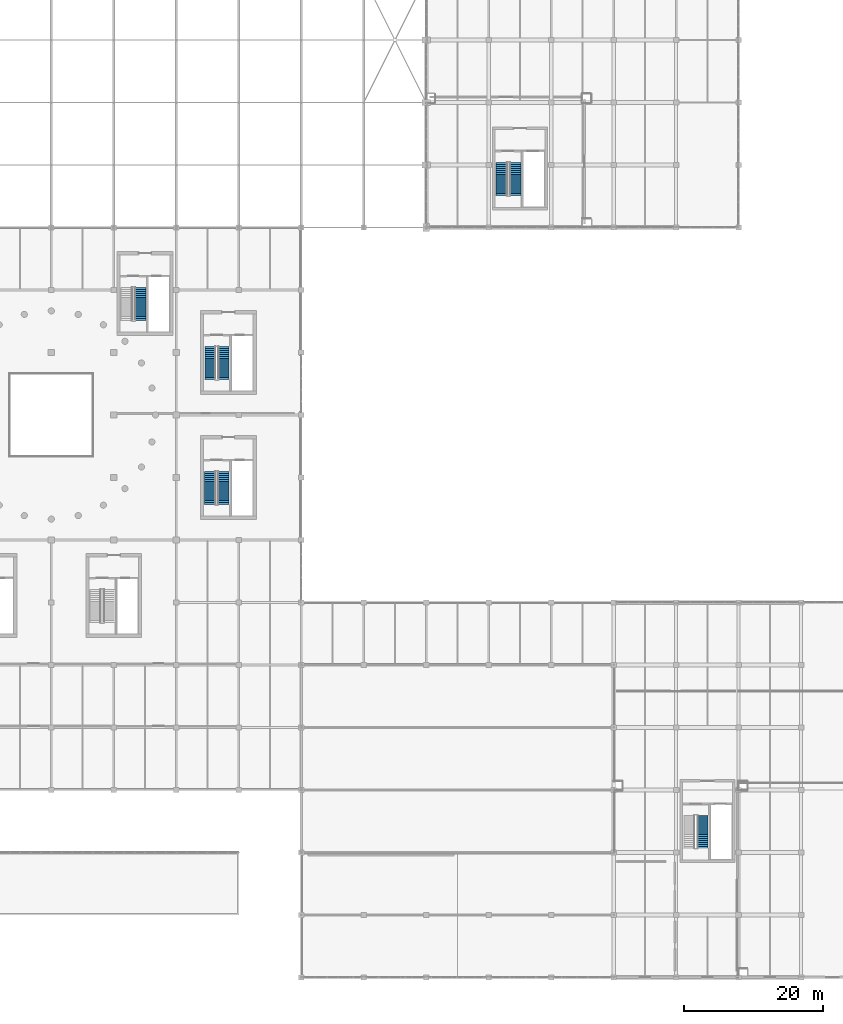
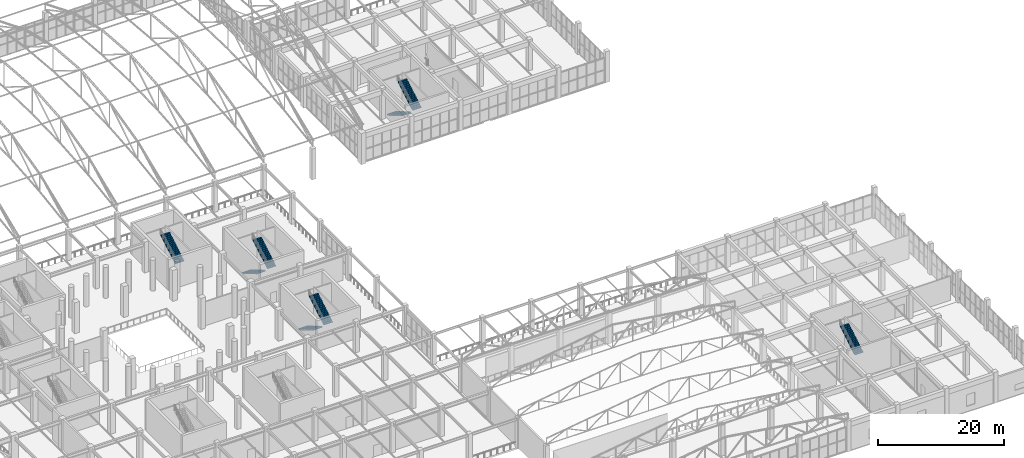
# One storey, part 196 of 223: 8 stair flights, 5 elements without a shape of their own.
"""IFC4 building model written with IfcOpenShell, lengths in metres."""

from ifc_helpers import new_model, si_unit, direction, frame, origin, place, context, subcontext, project, spatial, polyline, outline, extrude, material, layer, layer_set, type_object, element, aggregate, save


model = new_model("IFC4")

# Units and contexts
model_context = context("Model", 3, precision=1e-05, world=origin(), true_north=direction((0.0, 1.0)))
body_context = subcontext(model_context, "Body", "Model", "MODEL_VIEW")
ifc_project = project(units=[si_unit("LENGTHUNIT", "METRE"), si_unit("AREAUNIT", "SQUARE_METRE"), si_unit("VOLUMEUNIT", "CUBIC_METRE"), si_unit("PLANEANGLEUNIT", "RADIAN"), si_unit("MASSUNIT", "GRAM", prefix="KILO")], contexts=[model_context])

# Site, building, storey
site_placement = place(None, origin())
site = spatial("IfcSite", under=ifc_project, at=site_placement, CompositionType="ELEMENT")
building_placement = place(site_placement, origin())
building = spatial("IfcBuilding", under=site, at=building_placement, Name="Dornveld Trade and Exhibition Forum", CompositionType="ELEMENT")
storey_placement = place(building_placement, frame((0.0, 0.0, 6.0)))
storey = spatial("IfcBuildingStorey", under=building, at=storey_placement, Name="L01", CompositionType="ELEMENT", Elevation=6.0)

# Stair, stair flights
ifc_material_1 = material(Name="Concrete C40/50", Category="concrete")
stair_type_1 = type_object("IfcStairType", Name="ST-2RET-600A", PredefinedType="HALF_TURN_STAIR", material=ifc_material_1)
stair_1_placement = place(storey_placement, origin())
stair_1 = element("IfcStair", 1, at=stair_1_placement, inside=storey, type_object=stair_type_1, Name="CORE-01 escape stair L01 to L02", PredefinedType="HALF_TURN_STAIR")
ifc_material_2 = material(Name="Concrete C40/50", Category="concrete")
ifc_layer_1 = layer(ifc_material_2, 0.179931640625)
ifc_layer_set_1 = layer_set([ifc_layer_1], Name="Concrete C40/50")
stair_flight_type_1 = type_object("IfcStairFlightType", Name="STF-155", PredefinedType="STRAIGHT", material=ifc_layer_set_1)
stair_flight_1_placement = place(storey_placement, frame((139.8798828125, 90.85009765625, 0.0), z_axis=(0.0, 0.0, 1.0), x_axis=(0.0, -1.0, 0.0)))
stair_flight_1 = element("IfcStairFlight", 2, at=stair_flight_1_placement, type_object=stair_flight_type_1, Name="ST-01-L01 flight 1", NumberOfRisers=18, NumberOfTreads=17, PredefinedType="STRAIGHT", RiserHeight=0.166666667, TreadLength=0.28, context=body_context, shape_type="SweptSolid", body=[
    extrude(outline(polyline([(0.0, 0.0), (0.0, 0.166748046875), (0.280029296875, 0.166748046875), (0.280029296875, 0.333251953125), (0.56005859375, 0.333251953125), (0.56005859375, 0.5), (0.840087890625, 0.5), (0.840087890625, 0.666748046875), (1.1201171875, 0.666748046875), (1.1201171875, 0.833251953125), (1.39990234375, 0.833251953125), (1.39990234375, 1.0), (1.679931640625, 1.0), (1.679931640625, 1.166748046875), (1.9599609375, 1.166748046875), (1.9599609375, 1.333251953125), (2.239990234375, 1.333251953125), (2.239990234375, 1.5), (2.52001953125, 1.5), (2.52001953125, 1.666748046875), (2.800048828125, 1.666748046875), (2.800048828125, 1.833251953125), (3.080078125, 1.833251953125), (3.080078125, 2.0), (3.360107421875, 2.0), (3.360107421875, 2.166748046875), (3.639892578125, 2.166748046875), (3.639892578125, 2.333251953125), (3.919921875, 2.333251953125), (3.919921875, 2.5), (4.199951171875, 2.5), (4.199951171875, 2.666748046875), (4.47998046875, 2.666748046875), (4.47998046875, 2.833251953125), (4.760009765625, 2.833251953125), (4.760009765625, 3.0), (4.760009765625, 2.647216796875), (0.312744140625, 0.0), (0.0, 0.0)])), frame((0.0, 0.77490234375, 0.0), z_axis=(0.0, -1.0, 0.0), x_axis=(1.0, 0.0, 0.0)), (0.0, 0.0, 1.0), 1.550048828125),
])
stair_flight_2_placement = place(storey_placement, frame((141.820068359375, 86.090087890625, 3.0), z_axis=(0.0, 0.0, 1.0), x_axis=(0.0, 1.0, 0.0)))
stair_flight_2 = element("IfcStairFlight", 3, at=stair_flight_2_placement, type_object=stair_flight_type_1, Name="ST-01-L01 flight 2", NumberOfRisers=18, NumberOfTreads=17, PredefinedType="STRAIGHT", RiserHeight=0.166666667, TreadLength=0.28, context=body_context, shape_type="SweptSolid", body=[
    extrude(outline(polyline([(0.0, 0.0), (0.0, 0.166748046875), (0.280029296875, 0.166748046875), (0.280029296875, 0.333251953125), (0.56005859375, 0.333251953125), (0.56005859375, 0.5), (0.840087890625, 0.5), (0.840087890625, 0.666748046875), (1.1201171875, 0.666748046875), (1.1201171875, 0.833251953125), (1.39990234375, 0.833251953125), (1.39990234375, 1.0), (1.679931640625, 1.0), (1.679931640625, 1.166748046875), (1.9599609375, 1.166748046875), (1.9599609375, 1.333251953125), (2.239990234375, 1.333251953125), (2.239990234375, 1.5), (2.52001953125, 1.5), (2.52001953125, 1.666748046875), (2.800048828125, 1.666748046875), (2.800048828125, 1.833251953125), (3.080078125, 1.833251953125), (3.080078125, 2.0), (3.360107421875, 2.0), (3.360107421875, 2.166748046875), (3.639892578125, 2.166748046875), (3.639892578125, 2.333251953125), (3.919921875, 2.333251953125), (3.919921875, 2.5), (4.199951171875, 2.5), (4.199951171875, 2.666748046875), (4.47998046875, 2.666748046875), (4.47998046875, 2.833251953125), (4.760009765625, 2.833251953125), (4.760009765625, 3.0), (4.760009765625, 2.647216796875), (0.312744140625, 0.0), (0.0, 0.0)])), frame((0.0, 0.77490234375, 0.0), z_axis=(0.0, -1.0, 0.0), x_axis=(1.0, 0.0, 0.0)), (0.0, 0.0, 1.0), 1.550048828125),
])
aggregate(stair_1, [stair_flight_1, stair_flight_2])

# Stair, stair flight
stair_2_placement = place(storey_placement, origin())
stair_2 = element("IfcStair", 4, at=stair_2_placement, inside=storey, type_object=stair_type_1, Name="CORE-11 escape stair L01 to L02", PredefinedType="HALF_TURN_STAIR")
stair_flight_3_placement = place(storey_placement, frame((210.820068359375, 18.590087890625, 3.0), z_axis=(0.0, 0.0, 1.0), x_axis=(0.0, 1.0, 0.0)))
stair_flight_3 = element("IfcStairFlight", 5, at=stair_flight_3_placement, type_object=stair_flight_type_1, Name="ST-11-L01 flight 2", NumberOfRisers=18, NumberOfTreads=17, PredefinedType="STRAIGHT", RiserHeight=0.166666667, TreadLength=0.28, context=body_context, shape_type="SweptSolid", body=[
    extrude(outline(polyline([(0.0, 0.0), (0.0, 0.166748046875), (0.280029296875, 0.166748046875), (0.280029296875, 0.333251953125), (0.56005859375, 0.333251953125), (0.56005859375, 0.5), (0.840087890625, 0.5), (0.840087890625, 0.666748046875), (1.1201171875, 0.666748046875), (1.1201171875, 0.833251953125), (1.39990234375, 0.833251953125), (1.39990234375, 1.0), (1.679931640625, 1.0), (1.679931640625, 1.166748046875), (1.9599609375, 1.166748046875), (1.9599609375, 1.333251953125), (2.239990234375, 1.333251953125), (2.239990234375, 1.5), (2.52001953125, 1.5), (2.52001953125, 1.666748046875), (2.800048828125, 1.666748046875), (2.800048828125, 1.833251953125), (3.080078125, 1.833251953125), (3.080078125, 2.0), (3.360107421875, 2.0), (3.360107421875, 2.166748046875), (3.639892578125, 2.166748046875), (3.639892578125, 2.333251953125), (3.919921875, 2.333251953125), (3.919921875, 2.5), (4.199951171875, 2.5), (4.199951171875, 2.666748046875), (4.47998046875, 2.666748046875), (4.47998046875, 2.833251953125), (4.760009765625, 2.833251953125), (4.760009765625, 3.0), (4.760009765625, 2.647216796875), (0.312744140625, 0.0), (0.0, 0.0)])), frame((0.0, 0.77490234375, 0.0), z_axis=(0.0, -1.0, 0.0), x_axis=(1.0, 0.0, 0.0)), (0.0, 0.0, 1.0), 1.550048828125),
])
aggregate(stair_2, [stair_flight_3])

ifc_material_3 = material(Name="Concrete C40/50", Category="concrete")
stair_type_2 = type_object("IfcStairType", Name="ST-2RET-600B", PredefinedType="HALF_TURN_STAIR", material=ifc_material_3)
stair_3_placement = place(storey_placement, origin())
stair_3 = element("IfcStair", 6, at=stair_3_placement, inside=storey, type_object=stair_type_2, Name="CORE-02 escape stair L01 to L02", PredefinedType="HALF_TURN_STAIR")
ifc_material_4 = material(Name="Concrete C40/50", Category="concrete")
ifc_layer_2 = layer(ifc_material_4, 0.179931640625)
ifc_layer_set_2 = layer_set([ifc_layer_2], Name="Concrete C40/50")
stair_flight_type_2 = type_object("IfcStairFlightType", Name="STF-162", PredefinedType="STRAIGHT", material=ifc_layer_set_2)
stair_flight_4_placement = place(storey_placement, frame((129.820068359375, 94.590087890625, 3.0), z_axis=(0.0, 0.0, 1.0), x_axis=(0.0, 1.0, 0.0)))
stair_flight_4 = element("IfcStairFlight", 7, at=stair_flight_4_placement, type_object=stair_flight_type_2, Name="ST-02-L01 flight 2", NumberOfRisers=18, NumberOfTreads=17, PredefinedType="STRAIGHT", RiserHeight=0.166666667, TreadLength=0.28, context=body_context, shape_type="SweptSolid", body=[
    extrude(outline(polyline([(0.0, 0.0), (0.0, 0.166748046875), (0.280029296875, 0.166748046875), (0.280029296875, 0.333251953125), (0.56005859375, 0.333251953125), (0.56005859375, 0.5), (0.840087890625, 0.5), (0.840087890625, 0.666748046875), (1.1201171875, 0.666748046875), (1.1201171875, 0.833251953125), (1.39990234375, 0.833251953125), (1.39990234375, 1.0), (1.679931640625, 1.0), (1.679931640625, 1.166748046875), (1.9599609375, 1.166748046875), (1.9599609375, 1.333251953125), (2.239990234375, 1.333251953125), (2.239990234375, 1.5), (2.52001953125, 1.5), (2.52001953125, 1.666748046875), (2.800048828125, 1.666748046875), (2.800048828125, 1.833251953125), (3.080078125, 1.833251953125), (3.080078125, 2.0), (3.360107421875, 2.0), (3.360107421875, 2.166748046875), (3.639892578125, 2.166748046875), (3.639892578125, 2.333251953125), (3.919921875, 2.333251953125), (3.919921875, 2.5), (4.199951171875, 2.5), (4.199951171875, 2.666748046875), (4.47998046875, 2.666748046875), (4.47998046875, 2.833251953125), (4.760009765625, 2.833251953125), (4.760009765625, 3.0), (4.760009765625, 2.647216796875), (0.312744140625, 0.0), (0.0, 0.0)])), frame((0.0, 0.81005859375, 0.0), z_axis=(0.0, -1.0, 0.0), x_axis=(1.0, 0.0, 0.0)), (0.0, 0.0, 1.0), 1.6201171875),
])
aggregate(stair_3, [stair_flight_4])

# Stair, stair flights
stair_4_placement = place(storey_placement, origin())
stair_4 = element("IfcStair", 8, at=stair_4_placement, inside=storey, type_object=stair_type_2, Name="CORE-08 escape stair L01 to L02", PredefinedType="HALF_TURN_STAIR")
stair_flight_5_placement = place(storey_placement, frame((139.8798828125, 72.85009765625, 0.0), z_axis=(0.0, 0.0, 1.0), x_axis=(0.0, -1.0, 0.0)))
stair_flight_5 = element("IfcStairFlight", 9, at=stair_flight_5_placement, type_object=stair_flight_type_2, Name="ST-08-L01 flight 1", NumberOfRisers=18, NumberOfTreads=17, PredefinedType="STRAIGHT", RiserHeight=0.166666667, TreadLength=0.28, context=body_context, shape_type="SweptSolid", body=[
    extrude(outline(polyline([(0.0, 0.0), (0.0, 0.166748046875), (0.280029296875, 0.166748046875), (0.280029296875, 0.333251953125), (0.56005859375, 0.333251953125), (0.56005859375, 0.5), (0.840087890625, 0.5), (0.840087890625, 0.666748046875), (1.1201171875, 0.666748046875), (1.1201171875, 0.833251953125), (1.39990234375, 0.833251953125), (1.39990234375, 1.0), (1.679931640625, 1.0), (1.679931640625, 1.166748046875), (1.9599609375, 1.166748046875), (1.9599609375, 1.333251953125), (2.239990234375, 1.333251953125), (2.239990234375, 1.5), (2.52001953125, 1.5), (2.52001953125, 1.666748046875), (2.800048828125, 1.666748046875), (2.800048828125, 1.833251953125), (3.080078125, 1.833251953125), (3.080078125, 2.0), (3.360107421875, 2.0), (3.360107421875, 2.166748046875), (3.639892578125, 2.166748046875), (3.639892578125, 2.333251953125), (3.919921875, 2.333251953125), (3.919921875, 2.5), (4.199951171875, 2.5), (4.199951171875, 2.666748046875), (4.47998046875, 2.666748046875), (4.47998046875, 2.833251953125), (4.760009765625, 2.833251953125), (4.760009765625, 3.0), (4.760009765625, 2.647216796875), (0.312744140625, 0.0), (0.0, 0.0)])), frame((0.0, 0.81005859375, 0.0), z_axis=(0.0, -1.0, 0.0), x_axis=(1.0, 0.0, 0.0)), (0.0, 0.0, 1.0), 1.6201171875),
])
stair_flight_6_placement = place(storey_placement, frame((141.820068359375, 68.090087890625, 3.0), z_axis=(0.0, 0.0, 1.0), x_axis=(0.0, 1.0, 0.0)))
stair_flight_6 = element("IfcStairFlight", 10, at=stair_flight_6_placement, type_object=stair_flight_type_2, Name="ST-08-L01 flight 2", NumberOfRisers=18, NumberOfTreads=17, PredefinedType="STRAIGHT", RiserHeight=0.166666667, TreadLength=0.28, context=body_context, shape_type="SweptSolid", body=[
    extrude(outline(polyline([(0.0, 0.0), (0.0, 0.166748046875), (0.280029296875, 0.166748046875), (0.280029296875, 0.333251953125), (0.56005859375, 0.333251953125), (0.56005859375, 0.5), (0.840087890625, 0.5), (0.840087890625, 0.666748046875), (1.1201171875, 0.666748046875), (1.1201171875, 0.833251953125), (1.39990234375, 0.833251953125), (1.39990234375, 1.0), (1.679931640625, 1.0), (1.679931640625, 1.166748046875), (1.9599609375, 1.166748046875), (1.9599609375, 1.333251953125), (2.239990234375, 1.333251953125), (2.239990234375, 1.5), (2.52001953125, 1.5), (2.52001953125, 1.666748046875), (2.800048828125, 1.666748046875), (2.800048828125, 1.833251953125), (3.080078125, 1.833251953125), (3.080078125, 2.0), (3.360107421875, 2.0), (3.360107421875, 2.166748046875), (3.639892578125, 2.166748046875), (3.639892578125, 2.333251953125), (3.919921875, 2.333251953125), (3.919921875, 2.5), (4.199951171875, 2.5), (4.199951171875, 2.666748046875), (4.47998046875, 2.666748046875), (4.47998046875, 2.833251953125), (4.760009765625, 2.833251953125), (4.760009765625, 3.0), (4.760009765625, 2.647216796875), (0.312744140625, 0.0), (0.0, 0.0)])), frame((0.0, 0.81005859375, 0.0), z_axis=(0.0, -1.0, 0.0), x_axis=(1.0, 0.0, 0.0)), (0.0, 0.0, 1.0), 1.6201171875),
])
aggregate(stair_4, [stair_flight_5, stair_flight_6])

stair_5_placement = place(storey_placement, origin())
stair_5 = element("IfcStair", 11, at=stair_5_placement, inside=storey, type_object=stair_type_2, Name="CORE-12 escape stair L01 to L02", PredefinedType="HALF_TURN_STAIR")
stair_flight_7_placement = place(storey_placement, frame((181.8798828125, 117.35009765625, 0.0), z_axis=(0.0, 0.0, 1.0), x_axis=(0.0, -1.0, 0.0)))
stair_flight_7 = element("IfcStairFlight", 12, at=stair_flight_7_placement, type_object=stair_flight_type_2, Name="ST-12-L01 flight 1", NumberOfRisers=18, NumberOfTreads=17, PredefinedType="STRAIGHT", RiserHeight=0.166666667, TreadLength=0.28, context=body_context, shape_type="SweptSolid", body=[
    extrude(outline(polyline([(0.0, 0.0), (0.0, 0.166748046875), (0.280029296875, 0.166748046875), (0.280029296875, 0.333251953125), (0.56005859375, 0.333251953125), (0.56005859375, 0.5), (0.840087890625, 0.5), (0.840087890625, 0.666748046875), (1.1201171875, 0.666748046875), (1.1201171875, 0.833251953125), (1.39990234375, 0.833251953125), (1.39990234375, 1.0), (1.679931640625, 1.0), (1.679931640625, 1.166748046875), (1.9599609375, 1.166748046875), (1.9599609375, 1.333251953125), (2.239990234375, 1.333251953125), (2.239990234375, 1.5), (2.52001953125, 1.5), (2.52001953125, 1.666748046875), (2.800048828125, 1.666748046875), (2.800048828125, 1.833251953125), (3.080078125, 1.833251953125), (3.080078125, 2.0), (3.360107421875, 2.0), (3.360107421875, 2.166748046875), (3.639892578125, 2.166748046875), (3.639892578125, 2.333251953125), (3.919921875, 2.333251953125), (3.919921875, 2.5), (4.199951171875, 2.5), (4.199951171875, 2.666748046875), (4.47998046875, 2.666748046875), (4.47998046875, 2.833251953125), (4.760009765625, 2.833251953125), (4.760009765625, 3.0), (4.760009765625, 2.647216796875), (0.312744140625, 0.0), (0.0, 0.0)])), frame((0.0, 0.81005859375, 0.0), z_axis=(0.0, -1.0, 0.0), x_axis=(1.0, 0.0, 0.0)), (0.0, 0.0, 1.0), 1.6201171875),
])
stair_flight_8_placement = place(storey_placement, frame((183.820068359375, 112.590087890625, 3.0), z_axis=(0.0, 0.0, 1.0), x_axis=(0.0, 1.0, 0.0)))
stair_flight_8 = element("IfcStairFlight", 13, at=stair_flight_8_placement, type_object=stair_flight_type_2, Name="ST-12-L01 flight 2", NumberOfRisers=18, NumberOfTreads=17, PredefinedType="STRAIGHT", RiserHeight=0.166666667, TreadLength=0.28, context=body_context, shape_type="SweptSolid", body=[
    extrude(outline(polyline([(0.0, 0.0), (0.0, 0.166748046875), (0.280029296875, 0.166748046875), (0.280029296875, 0.333251953125), (0.56005859375, 0.333251953125), (0.56005859375, 0.5), (0.840087890625, 0.5), (0.840087890625, 0.666748046875), (1.1201171875, 0.666748046875), (1.1201171875, 0.833251953125), (1.39990234375, 0.833251953125), (1.39990234375, 1.0), (1.679931640625, 1.0), (1.679931640625, 1.166748046875), (1.9599609375, 1.166748046875), (1.9599609375, 1.333251953125), (2.239990234375, 1.333251953125), (2.239990234375, 1.5), (2.52001953125, 1.5), (2.52001953125, 1.666748046875), (2.800048828125, 1.666748046875), (2.800048828125, 1.833251953125), (3.080078125, 1.833251953125), (3.080078125, 2.0), (3.360107421875, 2.0), (3.360107421875, 2.166748046875), (3.639892578125, 2.166748046875), (3.639892578125, 2.333251953125), (3.919921875, 2.333251953125), (3.919921875, 2.5), (4.199951171875, 2.5), (4.199951171875, 2.666748046875), (4.47998046875, 2.666748046875), (4.47998046875, 2.833251953125), (4.760009765625, 2.833251953125), (4.760009765625, 3.0), (4.760009765625, 2.647216796875), (0.312744140625, 0.0), (0.0, 0.0)])), frame((0.0, 0.81005859375, 0.0), z_axis=(0.0, -1.0, 0.0), x_axis=(1.0, 0.0, 0.0)), (0.0, 0.0, 1.0), 1.6201171875),
])
aggregate(stair_5, [stair_flight_7, stair_flight_8])

save(model, "model.ifc")
